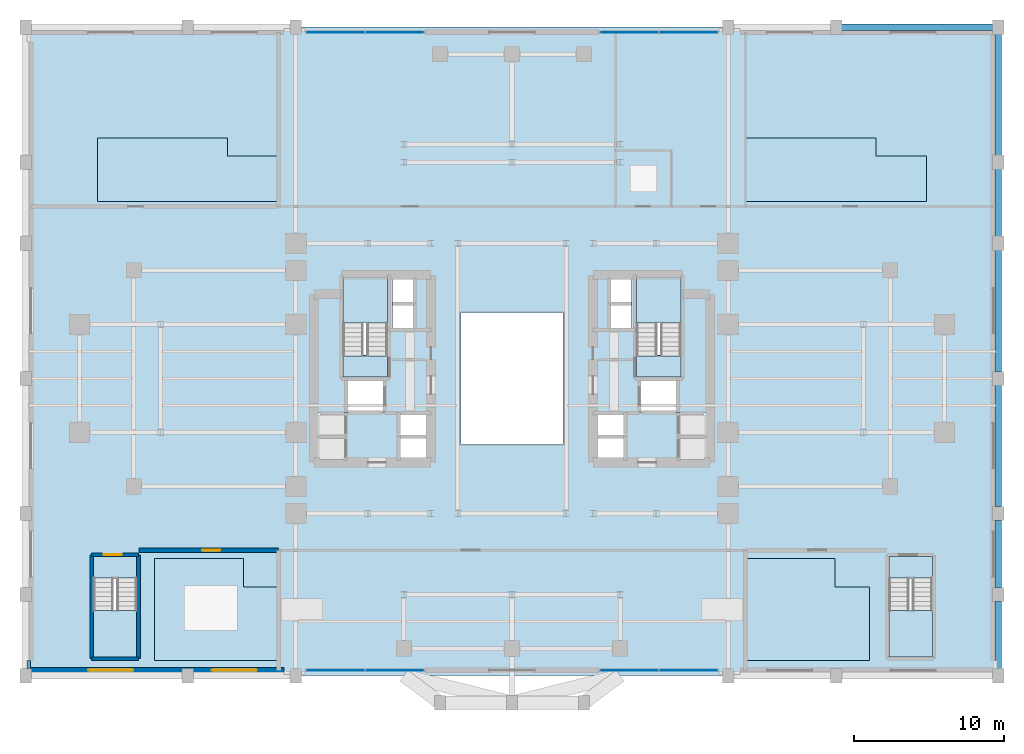
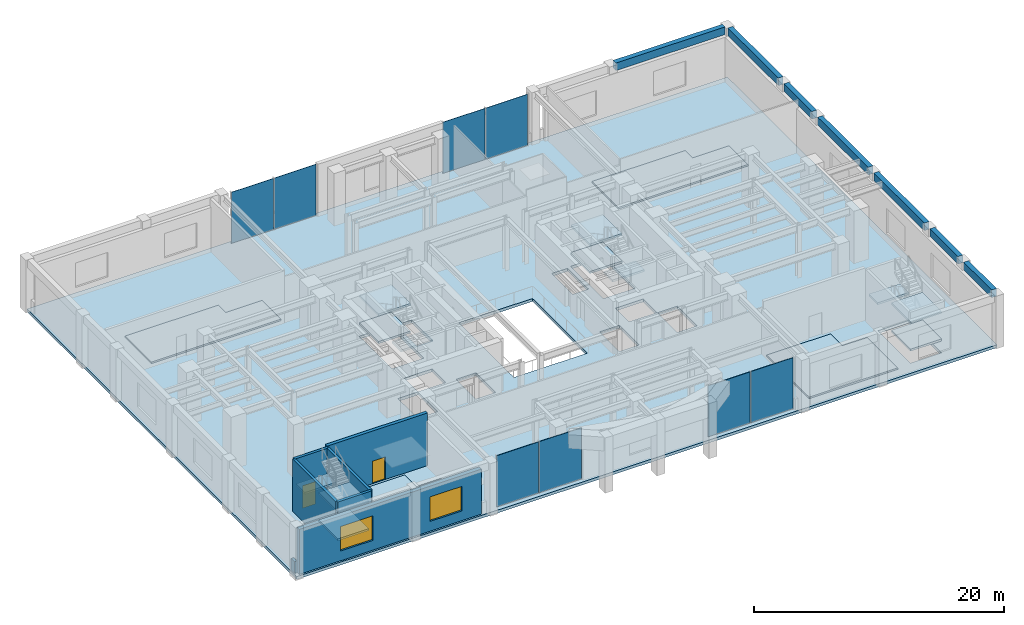
# One storey, part 9 of 16: 17 slabs, 8 plates, 7 beams, 7 walls, 2 doors, 2 windows, 4 openings, 8 elements without a shape of their own.
"""IFC4 building model written with IfcOpenShell, lengths in metres."""

from ifc_helpers import new_model, si_unit, direction, frame, frame_2d, origin, origin_2d, place, context, subcontext, project, spatial, polyline, rectangle, outline, extrude, source, transform, mapped, material, layer, layer_set, material_profile, profile_set, type_object, element, fill, aggregate, save


model = new_model("IFC4")

# Units and contexts
model_context = context("Model", 3, precision=1e-05, world=origin(), true_north=direction((0.0, 1.0)))
body_context = subcontext(model_context, "Body", "Model", "MODEL_VIEW")
ifc_project = project(units=[si_unit("LENGTHUNIT", "METRE"), si_unit("AREAUNIT", "SQUARE_METRE"), si_unit("VOLUMEUNIT", "CUBIC_METRE"), si_unit("PLANEANGLEUNIT", "RADIAN"), si_unit("MASSUNIT", "GRAM", prefix="KILO")], contexts=[model_context])

# Site, building, storey
site_placement = place(None, origin())
site = spatial("IfcSite", under=ifc_project, at=site_placement, CompositionType="ELEMENT")
building_placement = place(site_placement, origin())
building = spatial("IfcBuilding", under=site, at=building_placement, Name="Keilestroom Media Tower", CompositionType="ELEMENT")
storey_placement = place(building_placement, frame((0.0, 0.0, 10.199951171875)))
storey = spatial("IfcBuildingStorey", under=building, at=storey_placement, Name="L02", CompositionType="ELEMENT", Elevation=10.199951171875)

# Beams
ifc_material_1 = material(Name="Precast concrete C40/50", Category="concrete")
ifc_material_profile = material_profile(ifc_material_1, rectangle(XDim=0.449951171875, YDim=0.75, at=origin_2d()), Name="PC 450x750")
ifc_profile_set = profile_set([ifc_material_profile], Name="Precast concrete C40/50")
beam_type = type_object("IfcBeamType", Name="Perimeter-Spandrel-Beam-PC-450x750", PredefinedType="SPANDREL", material=ifc_profile_set)
shared_shape_1 = source(origin(), body_context, "Body", "SweptSolid", [
    extrude(rectangle(XDim=0.449951171875, YDim=0.75, at=origin_2d()), origin(), (0.0, 0.0, 1.0), 10.08984375),
])
beam_1_placement = place(storey_placement, frame((21.955078125, 23.39990234375, 4.775146484375), z_axis=(1.0, 0.0, 0.0), x_axis=(0.0, 1.0, 0.0)))
element("IfcBeam", 1, at=beam_1_placement, inside=storey, type_object=beam_type, Name="L02 Beam SPB-1 BM-L02-EW-044", PredefinedType="SPANDREL", context=body_context, shape_type="MappedRepresentation", body=[
    mapped(shared_shape_1, transform((0.0, 0.0, 0.0), x_axis=(1.0, 0.0, 0.0), y_axis=(0.0, 1.0, 0.0), z_axis=(0.0, 0.0, 1.0), scale=1.0)),
])
shared_shape_2 = source(origin(), body_context, "Body", "SweptSolid", [
    extrude(rectangle(XDim=0.449951171875, YDim=0.75, at=origin_2d()), origin(), (0.0, 0.0, 1.0), 4.489990234375),
])
for number, where, z_axis, x_axis, name in (
    (2, (32.39990234375, -19.344970703125, 4.775146484375), (0.0, 1.0, 0.0), (-1.0, 0.0, 0.0), "L02 Beam SPB-1 BM-L02-NS-085"),
    (3, (32.39990234375, -13.945068359375, 4.775146484375), (0.0, 1.0, 0.0), (-1.0, 0.0, 0.0), "L02 Beam SPB-1 BM-L02-NS-086"),
    (4, (32.39990234375, 9.455078125, 4.775146484375), (0.0, 1.0, 0.0), (-1.0, 0.0, 0.0), "L02 Beam SPB-1 BM-L02-NS-089"),
):
    element("IfcBeam", number, at=place(storey_placement, frame(where, z_axis=z_axis, x_axis=x_axis)), inside=storey, type_object=beam_type, Name=name, PredefinedType="SPANDREL", context=body_context, shape_type="MappedRepresentation", body=[
        mapped(shared_shape_2, transform((0.0, 0.0, 0.0), x_axis=(1.0, 0.0, 0.0), y_axis=(0.0, 1.0, 0.0), z_axis=(0.0, 0.0, 1.0), scale=1.0)),
    ])
shared_shape_3 = source(origin(), body_context, "Body", "SweptSolid", [
    extrude(rectangle(XDim=0.449951171875, YDim=0.75, at=origin_2d()), origin(), (0.0, 0.0, 1.0), 8.08984375),
])
for number, where, z_axis, x_axis, name in (
    (5, (32.39990234375, -8.544921875, 4.775146484375), (0.0, 1.0, 0.0), (-1.0, 0.0, 0.0), "L02 Beam SPB-1 BM-L02-NS-087"),
    (6, (32.39990234375, 0.455078125, 4.775146484375), (0.0, 1.0, 0.0), (-1.0, 0.0, 0.0), "L02 Beam SPB-1 BM-L02-NS-088"),
):
    element("IfcBeam", number, at=place(storey_placement, frame(where, z_axis=z_axis, x_axis=x_axis)), inside=storey, type_object=beam_type, Name=name, PredefinedType="SPANDREL", context=body_context, shape_type="MappedRepresentation", body=[
        mapped(shared_shape_3, transform((0.0, 0.0, 0.0), x_axis=(1.0, 0.0, 0.0), y_axis=(0.0, 1.0, 0.0), z_axis=(0.0, 0.0, 1.0), scale=1.0)),
    ])
shared_shape_4 = source(origin(), body_context, "Body", "SweptSolid", [
    extrude(rectangle(XDim=0.449951171875, YDim=0.75, at=origin_2d()), origin(), (0.0, 0.0, 1.0), 8.090087890625),
])
beam_2_placement = place(storey_placement, frame((32.39990234375, 14.85498046875, 4.775146484375), z_axis=(0.0, 1.0, 0.0), x_axis=(-1.0, 0.0, 0.0)))
element("IfcBeam", 7, at=beam_2_placement, inside=storey, type_object=beam_type, Name="L02 Beam SPB-1 BM-L02-NS-090", PredefinedType="SPANDREL", context=body_context, shape_type="MappedRepresentation", body=[
    mapped(shared_shape_4, transform((0.0, 0.0, 0.0), x_axis=(1.0, 0.0, 0.0), y_axis=(0.0, 1.0, 0.0), z_axis=(0.0, 0.0, 1.0), scale=1.0)),
])

# Slabs
ifc_material_2 = material(Name="Concrete C50/60", Category="concrete")
ifc_layer_1 = layer(ifc_material_2, 0.280029296875)
ifc_layer_set_1 = layer_set([ifc_layer_1], Name="Concrete C50/60")
slab_type_1 = type_object("IfcSlabType", Name="Composite-Floor-Slab-280", PredefinedType="FLOOR", material=ifc_layer_set_1)
slab_1_placement = place(storey_placement, frame((0.0, 0.0, -0.280029296875)))
element("IfcSlab", 8, at=slab_1_placement, inside=storey, type_object=slab_type_1, Name="L02 Structural Composite Floor Slab", PredefinedType="FLOOR", context=body_context, shape_type="SweptSolid", body=[
    extrude(outline(polyline([(-32.39990234375, -19.800048828125), (32.39990234375, -19.800048828125), (32.39990234375, 23.39990234375), (-32.39990234375, 23.39990234375), (-32.39990234375, -19.800048828125)]), holes=[polyline([(-27.8798828125, -18.550048828125), (-27.8798828125, -13.3349609375), (-25.0, -13.3349609375), (-25.0, -18.550048828125), (-27.8798828125, -18.550048828125)]), polyline([(-12.919921875, -5.47998046875), (-12.919921875, -2.320068359375), (-11.080078125, -2.320068359375), (-11.080078125, -5.47998046875), (-12.919921875, -5.47998046875)]), polyline([(-11.260009765625, 6.760009765625), (-8.300048828125, 6.760009765625), (-8.300048828125, 1.544921875), (-11.260009765625, 1.544921875), (-11.260009765625, 6.760009765625)]), polyline([(-11.050048828125, -2.280029296875), (-11.050048828125, -0.10009765625), (-8.47998046875, -0.10009765625), (-8.47998046875, -2.280029296875), (-11.050048828125, -2.280029296875)]), polyline([(-7.949951171875, 6.64990234375), (-6.47998046875, 6.64990234375), (-6.47998046875, 3.300048828125), (-7.949951171875, 3.300048828125), (-7.949951171875, 6.64990234375)]), polyline([(-5.719970703125, -5.47998046875), (-7.56005859375, -5.47998046875), (-7.56005859375, -2.320068359375), (-5.719970703125, -2.320068359375), (-5.719970703125, -5.47998046875)]), polyline([(-3.39990234375, -4.39990234375), (-3.39990234375, 4.39990234375), (3.39990234375, 4.39990234375), (3.39990234375, -4.39990234375), (-3.39990234375, -4.39990234375)]), polyline([(7.56005859375, -2.320068359375), (7.56005859375, -5.47998046875), (5.719970703125, -5.47998046875), (5.719970703125, -2.320068359375), (7.56005859375, -2.320068359375)]), polyline([(7.949951171875, 6.64990234375), (7.949951171875, 3.300048828125), (6.47998046875, 3.300048828125), (6.47998046875, 6.64990234375), (7.949951171875, 6.64990234375)]), polyline([(8.300048828125, 6.760009765625), (11.260009765625, 6.760009765625), (11.260009765625, 1.544921875), (8.300048828125, 1.544921875), (8.300048828125, 6.760009765625)]), polyline([(8.47998046875, -2.280029296875), (8.47998046875, -0.10009765625), (11.050048828125, -0.10009765625), (11.050048828125, -2.280029296875), (8.47998046875, -2.280029296875)]), polyline([(11.080078125, -2.320068359375), (12.919921875, -2.320068359375), (12.919921875, -5.47998046875), (11.080078125, -5.47998046875), (11.080078125, -2.320068359375)]), polyline([(25.1201171875, -18.550048828125), (25.1201171875, -13.3349609375), (28.0, -13.3349609375), (28.0, -18.550048828125), (25.1201171875, -18.550048828125)])]), origin(), (0.0, 0.0, 1.0), 0.280029296875),
])
ifc_material_3 = material(Name="Concrete C45/55", Category="concrete")
ifc_layer_2 = layer(ifc_material_3, 0.14990234375)
ifc_layer_set_2 = layer_set([ifc_layer_2], Name="Concrete C45/55")
slab_type_2 = type_object("IfcSlabType", Name="Floating-Studio-Floor-Slab-150", PredefinedType="FLOOR", material=ifc_layer_set_2)
slab_2_placement = place(storey_placement, origin())
element("IfcSlab", 9, at=slab_2_placement, inside=storey, type_object=slab_type_2, Name="L02 Acoustic Floating Studio Slab ST-TV-A", PredefinedType="FLOOR", context=body_context, shape_type="SweptSolid", body=[
    extrude(outline(polyline([(-23.800048828125, -18.800048828125), (-15.60009765625, -18.800048828125), (-15.60009765625, -13.904052734375), (-17.89599609375, -13.904052734375), (-17.89599609375, -12.0), (-23.800048828125, -12.0), (-23.800048828125, -18.800048828125)])), origin(), (0.0, 0.0, 1.0), 0.150146484375),
])
slab_3_placement = place(storey_placement, origin())
element("IfcSlab", 10, at=slab_3_placement, inside=storey, type_object=slab_type_2, Name="L02 Acoustic Floating Studio Slab ST-TV-B", PredefinedType="FLOOR", context=body_context, shape_type="SweptSolid", body=[
    extrude(outline(polyline([(15.60009765625, -18.800048828125), (23.800048828125, -18.800048828125), (23.800048828125, -13.904052734375), (21.50390625, -13.904052734375), (21.50390625, -12.0), (15.60009765625, -12.0), (15.60009765625, -18.800048828125)])), origin(), (0.0, 0.0, 1.0), 0.150146484375),
])
slab_4_placement = place(storey_placement, origin())
element("IfcSlab", 11, at=slab_4_placement, inside=storey, type_object=slab_type_2, Name="L02 Acoustic Floating Studio Slab ST-DUB-W", PredefinedType="FLOOR", context=body_context, shape_type="SweptSolid", body=[
    extrude(outline(polyline([(-27.60009765625, 11.800048828125), (-15.60009765625, 11.800048828125), (-15.60009765625, 14.823974609375), (-18.9599609375, 14.823974609375), (-18.9599609375, 16.0), (-27.60009765625, 16.0), (-27.60009765625, 11.800048828125)])), origin(), (0.0, 0.0, 1.0), 0.150146484375),
])
slab_5_placement = place(storey_placement, origin())
element("IfcSlab", 12, at=slab_5_placement, inside=storey, type_object=slab_type_2, Name="L02 Acoustic Floating Studio Slab ST-DUB-E", PredefinedType="FLOOR", context=body_context, shape_type="SweptSolid", body=[
    extrude(outline(polyline([(15.60009765625, 11.800048828125), (27.60009765625, 11.800048828125), (27.60009765625, 14.823974609375), (24.239990234375, 14.823974609375), (24.239990234375, 16.0), (15.60009765625, 16.0), (15.60009765625, 11.800048828125)])), origin(), (0.0, 0.0, 1.0), 0.150146484375),
])

# Stair, slabs
stair_type_1 = type_object("IfcStairType", Name="Enclosed-Dog-Leg-Stair-ST-CORE", PredefinedType="HALF_TURN_STAIR", material=ifc_material_3)
stair_1_placement = place(storey_placement, origin())
stair_1 = element("IfcStair", 13, at=stair_1_placement, inside=storey, type_object=stair_type_1, Name="L02 West Core Escape Stair ST-1", PredefinedType="HALF_TURN_STAIR")
ifc_layer_3 = layer(ifc_material_3, 0.199951171875)
ifc_layer_set_3 = layer_set([ifc_layer_3], Name="Concrete C45/55")
slab_type_3 = type_object("IfcSlabType", Name="Stair-Intermediate-And-Top-Landing-Slab-200", PredefinedType="LANDING", material=ifc_layer_set_3)
slab_6_placement = place(storey_placement, frame((0.0, 0.0, 1.150146484375)))
slab_6 = element("IfcSlab", 14, at=slab_6_placement, type_object=slab_type_3, Name="ST-1 landing 1", PredefinedType="LANDING", context=body_context, shape_type="SweptSolid", body=[
    extrude(outline(polyline([(-8.300048828125, 3.68408203125), (-8.300048828125, 6.760009765625), (-11.260009765625, 6.760009765625), (-11.260009765625, 3.68408203125), (-8.300048828125, 3.68408203125)])), origin(), (0.0, 0.0, 1.0), 0.199951171875),
])
slab_7_placement = place(storey_placement, frame((0.0, 0.0, 2.5)))
slab_7 = element("IfcSlab", 15, at=slab_7_placement, type_object=slab_type_3, Name="ST-1 landing 2", PredefinedType="LANDING", context=body_context, shape_type="SweptSolid", body=[
    extrude(outline(polyline([(-8.300048828125, 0.080078125), (-8.300048828125, 1.5), (-11.260009765625, 1.5), (-11.260009765625, 0.080078125), (-8.300048828125, 0.080078125)])), origin(), (0.0, 0.0, 1.0), 0.199951171875),
])
slab_8_placement = place(storey_placement, frame((0.0, 0.0, 3.85009765625)))
slab_8 = element("IfcSlab", 16, at=slab_8_placement, type_object=slab_type_3, Name="ST-1 landing 3", PredefinedType="LANDING", context=body_context, shape_type="SweptSolid", body=[
    extrude(outline(polyline([(-8.300048828125, 3.68408203125), (-8.300048828125, 6.760009765625), (-11.260009765625, 6.760009765625), (-11.260009765625, 3.68408203125), (-8.300048828125, 3.68408203125)])), origin(), (0.0, 0.0, 1.0), 0.199951171875),
])
aggregate(stair_1, [slab_6, slab_7, slab_8])

stair_2_placement = place(storey_placement, origin())
stair_2 = element("IfcStair", 17, at=stair_2_placement, inside=storey, type_object=stair_type_1, Name="L02 East Core Escape Stair ST-2", PredefinedType="HALF_TURN_STAIR")
slab_9_placement = place(storey_placement, frame((0.0, 0.0, 1.150146484375)))
slab_9 = element("IfcSlab", 18, at=slab_9_placement, type_object=slab_type_3, Name="ST-2 landing 1", PredefinedType="LANDING", context=body_context, shape_type="SweptSolid", body=[
    extrude(outline(polyline([(11.260009765625, 3.68408203125), (11.260009765625, 6.760009765625), (8.300048828125, 6.760009765625), (8.300048828125, 3.68408203125), (11.260009765625, 3.68408203125)])), origin(), (0.0, 0.0, 1.0), 0.199951171875),
])
slab_10_placement = place(storey_placement, frame((0.0, 0.0, 2.5)))
slab_10 = element("IfcSlab", 19, at=slab_10_placement, type_object=slab_type_3, Name="ST-2 landing 2", PredefinedType="LANDING", context=body_context, shape_type="SweptSolid", body=[
    extrude(outline(polyline([(11.260009765625, 0.080078125), (11.260009765625, 1.5), (8.300048828125, 1.5), (8.300048828125, 0.080078125), (11.260009765625, 0.080078125)])), origin(), (0.0, 0.0, 1.0), 0.199951171875),
])
slab_11_placement = place(storey_placement, frame((0.0, 0.0, 3.85009765625)))
slab_11 = element("IfcSlab", 20, at=slab_11_placement, type_object=slab_type_3, Name="ST-2 landing 3", PredefinedType="LANDING", context=body_context, shape_type="SweptSolid", body=[
    extrude(outline(polyline([(11.260009765625, 3.68408203125), (11.260009765625, 6.760009765625), (8.300048828125, 6.760009765625), (8.300048828125, 3.68408203125), (11.260009765625, 3.68408203125)])), origin(), (0.0, 0.0, 1.0), 0.199951171875),
])
aggregate(stair_2, [slab_9, slab_10, slab_11])

stair_type_2 = type_object("IfcStairType", Name="Enclosed-Dog-Leg-Stair-ST-POD", PredefinedType="HALF_TURN_STAIR", material=ifc_material_3)
stair_3_placement = place(storey_placement, origin())
stair_3 = element("IfcStair", 21, at=stair_3_placement, inside=storey, type_object=stair_type_2, Name="L02 Podium West Studio Escape Stair ST-3", PredefinedType="HALF_TURN_STAIR")
slab_12_placement = place(storey_placement, frame((0.0, 0.0, 1.150146484375)))
slab_12 = element("IfcSlab", 22, at=slab_12_placement, type_object=slab_type_3, Name="ST-3 landing 1", PredefinedType="LANDING", context=body_context, shape_type="SweptSolid", body=[
    extrude(outline(polyline([(-27.8798828125, -15.47412109375), (-27.8798828125, -18.550048828125), (-25.0, -18.550048828125), (-25.0, -15.47412109375), (-27.8798828125, -15.47412109375)])), origin(), (0.0, 0.0, 1.0), 0.199951171875),
])
slab_13_placement = place(storey_placement, frame((0.0, 0.0, 2.5)))
slab_13 = element("IfcSlab", 23, at=slab_13_placement, type_object=slab_type_3, Name="ST-3 landing 2", PredefinedType="LANDING", context=body_context, shape_type="SweptSolid", body=[
    extrude(outline(polyline([(-27.8798828125, -11.8701171875), (-27.8798828125, -13.2900390625), (-25.0, -13.2900390625), (-25.0, -11.8701171875), (-27.8798828125, -11.8701171875)])), origin(), (0.0, 0.0, 1.0), 0.199951171875),
])
slab_14_placement = place(storey_placement, frame((0.0, 0.0, 3.85009765625)))
slab_14 = element("IfcSlab", 24, at=slab_14_placement, type_object=slab_type_3, Name="ST-3 landing 3", PredefinedType="LANDING", context=body_context, shape_type="SweptSolid", body=[
    extrude(outline(polyline([(-27.8798828125, -15.47412109375), (-27.8798828125, -18.550048828125), (-25.0, -18.550048828125), (-25.0, -15.47412109375), (-27.8798828125, -15.47412109375)])), origin(), (0.0, 0.0, 1.0), 0.199951171875),
])
aggregate(stair_3, [slab_12, slab_13, slab_14])

stair_4_placement = place(storey_placement, origin())
stair_4 = element("IfcStair", 25, at=stair_4_placement, inside=storey, type_object=stair_type_2, Name="L02 Podium East Studio Escape Stair ST-4", PredefinedType="HALF_TURN_STAIR")
slab_15_placement = place(storey_placement, frame((0.0, 0.0, 1.150146484375)))
slab_15 = element("IfcSlab", 26, at=slab_15_placement, type_object=slab_type_3, Name="ST-4 landing 1", PredefinedType="LANDING", context=body_context, shape_type="SweptSolid", body=[
    extrude(outline(polyline([(25.1201171875, -15.47412109375), (25.1201171875, -18.550048828125), (28.0, -18.550048828125), (28.0, -15.47412109375), (25.1201171875, -15.47412109375)])), origin(), (0.0, 0.0, 1.0), 0.199951171875),
])
slab_16_placement = place(storey_placement, frame((0.0, 0.0, 2.5)))
slab_16 = element("IfcSlab", 27, at=slab_16_placement, type_object=slab_type_3, Name="ST-4 landing 2", PredefinedType="LANDING", context=body_context, shape_type="SweptSolid", body=[
    extrude(outline(polyline([(25.1201171875, -11.8701171875), (25.1201171875, -13.2900390625), (28.0, -13.2900390625), (28.0, -11.8701171875), (25.1201171875, -11.8701171875)])), origin(), (0.0, 0.0, 1.0), 0.199951171875),
])
slab_17_placement = place(storey_placement, frame((0.0, 0.0, 3.85009765625)))
slab_17 = element("IfcSlab", 28, at=slab_17_placement, type_object=slab_type_3, Name="ST-4 landing 3", PredefinedType="LANDING", context=body_context, shape_type="SweptSolid", body=[
    extrude(outline(polyline([(25.1201171875, -15.47412109375), (25.1201171875, -18.550048828125), (28.0, -18.550048828125), (28.0, -15.47412109375), (25.1201171875, -15.47412109375)])), origin(), (0.0, 0.0, 1.0), 0.199951171875),
])
aggregate(stair_4, [slab_15, slab_16, slab_17])

# Curtain wall, plates
ifc_material_4 = material(Name="Anodised Aluminium Alloy", Category="aluminium")
curtain_wall_type = type_object("IfcCurtainWallType", Name="Unitised-Curtain-Wall-CW-5", PredefinedType="NOTDEFINED", material=ifc_material_4)
curtain_wall_1_placement = place(storey_placement, origin())
curtain_wall_1 = element("IfcCurtainWall", 29, at=curtain_wall_1_placement, inside=storey, type_object=curtain_wall_type, Name="L02 Curtain Wall CW-5 CW-L02-S-ATR", PredefinedType="NOTDEFINED")
ifc_material_5 = material(Name="Acoustic Laminated Low-Iron Glazing", Category="glass")
ifc_layer_4 = layer(ifc_material_5, 0.0400390625)
ifc_layer_set_4 = layer_set([ifc_layer_4], Name="Acoustic Laminated Low-Iron Glazing")
plate_type = type_object("IfcPlateType", Name="Insulated-Curtain-Wall-Glazing-Panel-CW-5", PredefinedType="CURTAIN_PANEL", material=ifc_layer_set_4)
shared_shape_5 = source(origin(), body_context, "Body", "SweptSolid", [
    extrude(rectangle(XDim=3.89306640625, YDim=0.0400390625, at=origin_2d()), origin(), (0.0, 0.0, 1.0), 5.00390625),
])
plate_1_placement = place(storey_placement, frame((-11.767578125, -19.449951171875, 0.072998046875), z_axis=(0.0, 0.0, 1.0), x_axis=(1.0, 0.0, 0.0)))
plate_1 = element("IfcPlate", 30, at=plate_1_placement, type_object=plate_type, Name="CW-5 Unitised Glazing 00", PredefinedType="CURTAIN_PANEL", context=body_context, shape_type="MappedRepresentation", body=[
    mapped(shared_shape_5, transform((0.0, 0.0, 0.0), x_axis=(1.0, 0.0, 0.0), y_axis=(0.0, 1.0, 0.0), z_axis=(0.0, 0.0, 1.0), scale=1.0)),
])
plate_2_placement = place(storey_placement, frame((-7.8125, -19.449951171875, 0.072998046875), z_axis=(0.0, 0.0, 1.0), x_axis=(1.0, 0.0, 0.0)))
plate_2 = element("IfcPlate", 31, at=plate_2_placement, type_object=plate_type, Name="CW-5 Unitised Glazing 01", PredefinedType="CURTAIN_PANEL", context=body_context, shape_type="MappedRepresentation", body=[
    mapped(shared_shape_5, transform((0.0, 0.0, 0.0), x_axis=(1.0, 0.0, 0.0), y_axis=(0.0, 1.0, 0.0), z_axis=(0.0, 0.0, 1.0), scale=1.0)),
])
aggregate(curtain_wall_1, [plate_1, plate_2])

curtain_wall_2_placement = place(storey_placement, origin())
curtain_wall_2 = element("IfcCurtainWall", 32, at=curtain_wall_2_placement, inside=storey, type_object=curtain_wall_type, Name="L02 Curtain Wall CW-5 CW-L02-S-ATE", PredefinedType="NOTDEFINED")
plate_3_placement = place(storey_placement, frame((7.8125, -19.449951171875, 0.072998046875), z_axis=(0.0, 0.0, 1.0), x_axis=(1.0, 0.0, 0.0)))
plate_3 = element("IfcPlate", 33, at=plate_3_placement, type_object=plate_type, Name="CW-5 Unitised Glazing 00", PredefinedType="CURTAIN_PANEL", context=body_context, shape_type="MappedRepresentation", body=[
    mapped(shared_shape_5, transform((0.0, 0.0, 0.0), x_axis=(1.0, 0.0, 0.0), y_axis=(0.0, 1.0, 0.0), z_axis=(0.0, 0.0, 1.0), scale=1.0)),
])
plate_4_placement = place(storey_placement, frame((11.767578125, -19.449951171875, 0.072998046875), z_axis=(0.0, 0.0, 1.0), x_axis=(1.0, 0.0, 0.0)))
plate_4 = element("IfcPlate", 34, at=plate_4_placement, type_object=plate_type, Name="CW-5 Unitised Glazing 01", PredefinedType="CURTAIN_PANEL", context=body_context, shape_type="MappedRepresentation", body=[
    mapped(shared_shape_5, transform((0.0, 0.0, 0.0), x_axis=(1.0, 0.0, 0.0), y_axis=(0.0, 1.0, 0.0), z_axis=(0.0, 0.0, 1.0), scale=1.0)),
])
aggregate(curtain_wall_2, [plate_3, plate_4])

curtain_wall_3_placement = place(storey_placement, origin())
curtain_wall_3 = element("IfcCurtainWall", 35, at=curtain_wall_3_placement, inside=storey, type_object=curtain_wall_type, Name="L02 Curtain Wall CW-5 CW-L02-N-ATW", PredefinedType="NOTDEFINED")
plate_5_placement = place(storey_placement, frame((-11.767578125, 23.050048828125, 0.072998046875), z_axis=(0.0, 0.0, 1.0), x_axis=(1.0, 0.0, 0.0)))
plate_5 = element("IfcPlate", 36, at=plate_5_placement, type_object=plate_type, Name="CW-5 Unitised Glazing 00", PredefinedType="CURTAIN_PANEL", context=body_context, shape_type="MappedRepresentation", body=[
    mapped(shared_shape_5, transform((0.0, 0.0, 0.0), x_axis=(1.0, 0.0, 0.0), y_axis=(0.0, 1.0, 0.0), z_axis=(0.0, 0.0, 1.0), scale=1.0)),
])
plate_6_placement = place(storey_placement, frame((-7.8125, 23.050048828125, 0.072998046875), z_axis=(0.0, 0.0, 1.0), x_axis=(1.0, 0.0, 0.0)))
plate_6 = element("IfcPlate", 37, at=plate_6_placement, type_object=plate_type, Name="CW-5 Unitised Glazing 01", PredefinedType="CURTAIN_PANEL", context=body_context, shape_type="MappedRepresentation", body=[
    mapped(shared_shape_5, transform((0.0, 0.0, 0.0), x_axis=(1.0, 0.0, 0.0), y_axis=(0.0, 1.0, 0.0), z_axis=(0.0, 0.0, 1.0), scale=1.0)),
])
aggregate(curtain_wall_3, [plate_5, plate_6])

curtain_wall_4_placement = place(storey_placement, origin())
curtain_wall_4 = element("IfcCurtainWall", 38, at=curtain_wall_4_placement, inside=storey, type_object=curtain_wall_type, Name="L02 Curtain Wall CW-5 CW-L02-N-ATE", PredefinedType="NOTDEFINED")
plate_7_placement = place(storey_placement, frame((7.8125, 23.050048828125, 0.072998046875), z_axis=(0.0, 0.0, 1.0), x_axis=(1.0, 0.0, 0.0)))
plate_7 = element("IfcPlate", 39, at=plate_7_placement, type_object=plate_type, Name="CW-5 Unitised Glazing 00", PredefinedType="CURTAIN_PANEL", context=body_context, shape_type="MappedRepresentation", body=[
    mapped(shared_shape_5, transform((0.0, 0.0, 0.0), x_axis=(1.0, 0.0, 0.0), y_axis=(0.0, 1.0, 0.0), z_axis=(0.0, 0.0, 1.0), scale=1.0)),
])
plate_8_placement = place(storey_placement, frame((11.767578125, 23.050048828125, 0.072998046875), z_axis=(0.0, 0.0, 1.0), x_axis=(1.0, 0.0, 0.0)))
plate_8 = element("IfcPlate", 40, at=plate_8_placement, type_object=plate_type, Name="CW-5 Unitised Glazing 01", PredefinedType="CURTAIN_PANEL", context=body_context, shape_type="MappedRepresentation", body=[
    mapped(shared_shape_5, transform((0.0, 0.0, 0.0), x_axis=(1.0, 0.0, 0.0), y_axis=(0.0, 1.0, 0.0), z_axis=(0.0, 0.0, 1.0), scale=1.0)),
])
aggregate(curtain_wall_4, [plate_7, plate_8])

# Wall, opening, door
ifc_layer_5 = layer(ifc_material_3, 0.300048828125)
ifc_layer_set_5 = layer_set([ifc_layer_5], Name="Concrete C45/55")
wall_type_1 = type_object("IfcWallType", Name="Acoustic-Studio-Isolation-Wall-300", PredefinedType="SOLIDWALL", material=ifc_layer_set_5)
wall_1_placement = place(storey_placement, frame((-24.840087890625, -11.449951171875, 0.0), z_axis=(0.0, 0.0, 1.0), x_axis=(1.0, 0.0, 0.0)))
wall_1 = element("IfcWall", 41, at=wall_1_placement, inside=storey, type_object=wall_type_1, Name="L02 Interior Wall WP-L02-STD-SW-N", PredefinedType="SOLIDWALL", context=body_context, shape_type="SweptSolid", body=[
    extrude(rectangle(XDim=9.2900390625, YDim=0.300048828125, at=frame_2d((4.64501953125, 0.0))), origin(), (0.0, 0.0, 1.0), 5.150146484375),
])
opening_1_placement = place(wall_1_placement, frame((4.199951171875, 0.0, 0.0)))
opening_1 = element("IfcOpeningElement", 42, at=opening_1_placement, cuts=wall_1, Name="Opening DI-02", PredefinedType="OPENING", context=body_context, shape_type="SweptSolid", body=[
    extrude(rectangle(XDim=1.199951171875, YDim=2.199951171875, at=frame_2d((0.60009765625, 1.10009765625))), frame((0.0, 0.16015625, 0.0), z_axis=(0.0, -1.0, 0.0), x_axis=(1.0, 0.0, 0.0)), (0.0, 0.0, 1.0), 0.320068359375),
])
ifc_material_6 = material(Name="Powder-Coated Steel Fire Leaf", Category="steel")
door_type_1 = type_object("IfcDoorType", Name="Interior-Compartment-Fire-Door-DI-02", OperationType="NOTDEFINED", PredefinedType="DOOR", material=ifc_material_6)
shared_shape_6 = source(origin(), body_context, "Body", "SweptSolid", [
    extrude(rectangle(XDim=1.199951171875, YDim=2.199951171875, at=frame_2d((0.60009765625, 1.10009765625))), frame((0.0, 0.02490234375, 0.0), z_axis=(0.0, -1.0, 0.0), x_axis=(1.0, 0.0, 0.0)), (0.0, 0.0, 1.0), 0.050048828125),
])
door_1_placement = place(opening_1_placement, origin())
door_1 = element("IfcDoor", 43, at=door_1_placement, inside=storey, type_object=door_type_1, Name="L02 Interior Door DI-L02-STD-SW-D", OperationType="SINGLE_SWING_LEFT", OverallHeight=2.199951171875, OverallWidth=1.199951171875, PredefinedType="DOOR", context=body_context, shape_type="MappedRepresentation", body=[
    mapped(shared_shape_6, transform((0.0, 0.0, 0.0), x_axis=(1.0, 0.0, 0.0), y_axis=(0.0, 1.0, 0.0), z_axis=(0.0, 0.0, 1.0), scale=1.0)),
])
fill(opening_1, door_1)

# Wall, openings, windows
ifc_layer_6 = layer(ifc_material_1, 0.3798828125)
ifc_layer_set_6 = layer_set([ifc_layer_6], Name="Precast concrete C40/50")
wall_type_2 = type_object("IfcWallType", Name="Exterior-Masonry-Spandrel-Wall-380", PredefinedType="SOLIDWALL", material=ifc_layer_set_6)
wall_2_placement = place(storey_placement, frame((-32.050048828125, -19.449951171875, 0.0), z_axis=(0.0, 0.0, 1.0), x_axis=(1.0, 0.0, 0.0)))
wall_2 = element("IfcWall", 44, at=wall_2_placement, inside=storey, type_object=wall_type_2, Name="L02 Podium Precast Masonry Wall EWL-L02-S-W", PredefinedType="SOLIDWALL", context=body_context, shape_type="SweptSolid", body=[
    extrude(rectangle(XDim=16.85009765625, YDim=0.3798828125, at=frame_2d((8.425048828125, 0.0))), origin(), (0.0, 0.0, 1.0), 4.400146484375),
])
opening_2_placement = place(wall_2_placement, frame((3.81201171875, 0.0, 0.949951171875)))
opening_2 = element("IfcOpeningElement", 45, at=opening_2_placement, cuts=wall_2, Name="Opening WN-05", PredefinedType="OPENING", context=body_context, shape_type="SweptSolid", body=[
    extrude(rectangle(XDim=3.0, YDim=2.39990234375, at=frame_2d((1.5, 1.199951171875))), frame((0.0, 0.199951171875, 0.0), z_axis=(0.0, -1.0, 0.0), x_axis=(1.0, 0.0, 0.0)), (0.0, 0.0, 1.0), 0.39990234375),
])
opening_3_placement = place(wall_2_placement, frame((12.06201171875, 0.0, 0.949951171875)))
opening_3 = element("IfcOpeningElement", 46, at=opening_3_placement, cuts=wall_2, Name="Opening WN-05", PredefinedType="OPENING", context=body_context, shape_type="SweptSolid", body=[
    extrude(rectangle(XDim=3.0, YDim=2.39990234375, at=frame_2d((1.5, 1.199951171875))), frame((0.0, 0.199951171875, 0.0), z_axis=(0.0, -1.0, 0.0), x_axis=(1.0, 0.0, 0.0)), (0.0, 0.0, 1.0), 0.39990234375),
])
ifc_material_7 = material(Name="Acoustic Studio Observation Window", Category="glass")
window_type = type_object("IfcWindowType", Name="Recessed-Punched-Window-WN-05", PartitioningType="TRIPLE_PANEL_VERTICAL", PredefinedType="WINDOW", material=ifc_material_7)
shared_shape_7 = source(origin(), body_context, "Body", "SweptSolid", [
    extrude(rectangle(XDim=3.0, YDim=2.39990234375, at=frame_2d((1.5, 1.199951171875))), frame((0.0, 0.030029296875, 0.0), z_axis=(0.0, -1.0, 0.0), x_axis=(1.0, 0.0, 0.0)), (0.0, 0.0, 1.0), 0.06005859375),
])
window_1_placement = place(opening_2_placement, origin())
window_1 = element("IfcWindow", 47, at=window_1_placement, inside=storey, type_object=window_type, Name="L02 Window WN-05 EWL-L02-S-W-1", OverallHeight=2.39990234375, OverallWidth=3.0, PartitioningType="SINGLE_PANEL", PredefinedType="WINDOW", context=body_context, shape_type="MappedRepresentation", body=[
    mapped(shared_shape_7, transform((0.0, 0.0, 0.0), x_axis=(1.0, 0.0, 0.0), y_axis=(0.0, 1.0, 0.0), z_axis=(0.0, 0.0, 1.0), scale=1.0)),
])
fill(opening_2, window_1)
window_2_placement = place(opening_3_placement, origin())
window_2 = element("IfcWindow", 48, at=window_2_placement, inside=storey, type_object=window_type, Name="L02 Window WN-05 EWL-L02-S-W-2", OverallHeight=2.39990234375, OverallWidth=3.0, PartitioningType="SINGLE_PANEL", PredefinedType="WINDOW", context=body_context, shape_type="MappedRepresentation", body=[
    mapped(shared_shape_7, transform((0.0, 0.0, 0.0), x_axis=(1.0, 0.0, 0.0), y_axis=(0.0, 1.0, 0.0), z_axis=(0.0, 0.0, 1.0), scale=1.0)),
])
fill(opening_3, window_2)

# Walls
ifc_layer_7 = layer(ifc_material_2, 0.25)
ifc_layer_set_7 = layer_set([ifc_layer_7], Name="Concrete C50/60")
wall_type_3 = type_object("IfcWallType", Name="Reinforced-Concrete-Shaft-Wall-250", PredefinedType="SOLIDWALL", material=ifc_layer_set_7)
for number, where, z_axis, x_axis, name in (
    (49, (-28.0009765625, -18.6708984375, 0.0), (0.0, 0.0, 1.0), (0.0, 1.0, 0.0), "L02 Core Shear Wall WL-L02-ST-3-W"),
    (50, (-24.87890625, -18.6708984375, 0.0), (0.0, 0.0, 1.0), (0.0, 1.0, 0.0), "L02 Core Shear Wall WL-L02-ST-3-E"),
):
    element("IfcWall", number, at=place(storey_placement, frame(where, z_axis=z_axis, x_axis=x_axis)), inside=storey, type_object=wall_type_3, Name=name, PredefinedType="SOLIDWALL", context=body_context, shape_type="SweptSolid", body=[
        extrude(rectangle(XDim=6.921875, YDim=0.25, at=frame_2d((3.4609375, 0.0))), origin(), (0.0, 0.0, 1.0), 5.150146484375),
    ])
wall_3_placement = place(storey_placement, frame((-28.0009765625, -18.6708984375, 0.0), z_axis=(0.0, 0.0, 1.0), x_axis=(1.0, 0.0, 0.0)))
element("IfcWall", 51, at=wall_3_placement, inside=storey, type_object=wall_type_3, Name="L02 Core Shear Wall WL-L02-ST-3-S", PredefinedType="SOLIDWALL", context=body_context, shape_type="SweptSolid", body=[
    extrude(rectangle(XDim=3.1220703125, YDim=0.25, at=frame_2d((1.56103515625, 0.0))), origin(), (0.0, 0.0, 1.0), 5.150146484375),
])

# Wall, opening, door
wall_4_placement = place(storey_placement, frame((-28.0009765625, -11.7490234375, 0.0), z_axis=(0.0, 0.0, 1.0), x_axis=(1.0, 0.0, 0.0)))
wall_4 = element("IfcWall", 52, at=wall_4_placement, inside=storey, type_object=wall_type_3, Name="L02 Core Shear Wall WL-L02-ST-3-N", PredefinedType="SOLIDWALL", context=body_context, shape_type="SweptSolid", body=[
    extrude(rectangle(XDim=3.1220703125, YDim=0.25, at=frame_2d((1.56103515625, 0.0))), origin(), (0.0, 0.0, 1.0), 5.150146484375),
])
opening_4_placement = place(wall_4_placement, frame((0.800048828125, 0.0, 0.0)))
opening_4 = element("IfcOpeningElement", 53, at=opening_4_placement, cuts=wall_4, Name="Opening DI-01S", PredefinedType="OPENING", context=body_context, shape_type="SweptSolid", body=[
    extrude(rectangle(XDim=1.199951171875, YDim=2.199951171875, at=frame_2d((0.60009765625, 1.10009765625))), frame((0.0, 0.135009765625, 0.0), z_axis=(0.0, -1.0, 0.0), x_axis=(1.0, 0.0, 0.0)), (0.0, 0.0, 1.0), 0.27001953125),
])
door_type_2 = type_object("IfcDoorType", Name="Interior-Stair-And-Core-Fire-Door-DI-01", OperationType="NOTDEFINED", PredefinedType="DOOR", material=ifc_material_6)
door_2_placement = place(opening_4_placement, origin())
door_2 = element("IfcDoor", 54, at=door_2_placement, inside=storey, type_object=door_type_2, Name="L02 Podium Stair ST-3 Fire Door", OperationType="SINGLE_SWING_LEFT", OverallHeight=2.199951171875, OverallWidth=1.199951171875, PredefinedType="DOOR", context=body_context, shape_type="MappedRepresentation", body=[
    mapped(shared_shape_6, transform((0.0, 0.0, 0.0), x_axis=(1.0, 0.0, 0.0), y_axis=(0.0, 1.0, 0.0), z_axis=(0.0, 0.0, 1.0), scale=1.0)),
])
fill(opening_4, door_2)

# Wall
ifc_layer_8 = layer(ifc_material_1, 0.239990234375)
ifc_layer_set_8 = layer_set([ifc_layer_8], Name="Precast concrete C40/50")
wall_type_4 = type_object("IfcWallType", Name="Roof-And-Terrace-Parapet-Wall-240", PredefinedType="PARAPET", material=ifc_layer_set_8)
wall_5_placement = place(storey_placement, frame((-32.199951171875, -19.322021484375, 0.0), z_axis=(0.0, 0.0, 1.0), x_axis=(0.0, 1.0, 0.0)))
element("IfcWall", 55, at=wall_5_placement, inside=storey, type_object=wall_type_4, Name="L02 Perimeter Edge Parapet Wall 01", PredefinedType="PARAPET", context=body_context, shape_type="SweptSolid", body=[
    extrude(rectangle(XDim=0.51904296875, YDim=0.239990234375, at=frame_2d((0.259521484375, 0.0))), origin(), (0.0, 0.0, 1.0), 1.150146484375),
])

save(model, "model.ifc")
